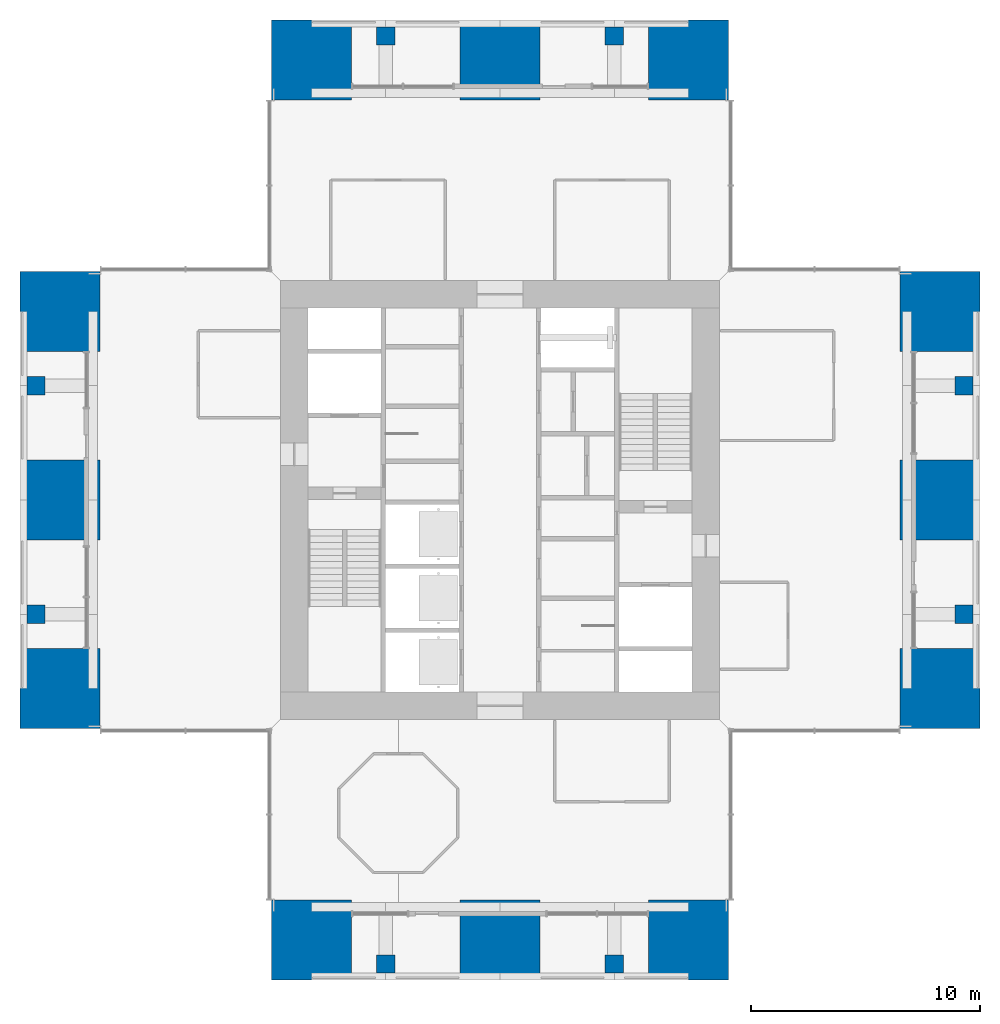
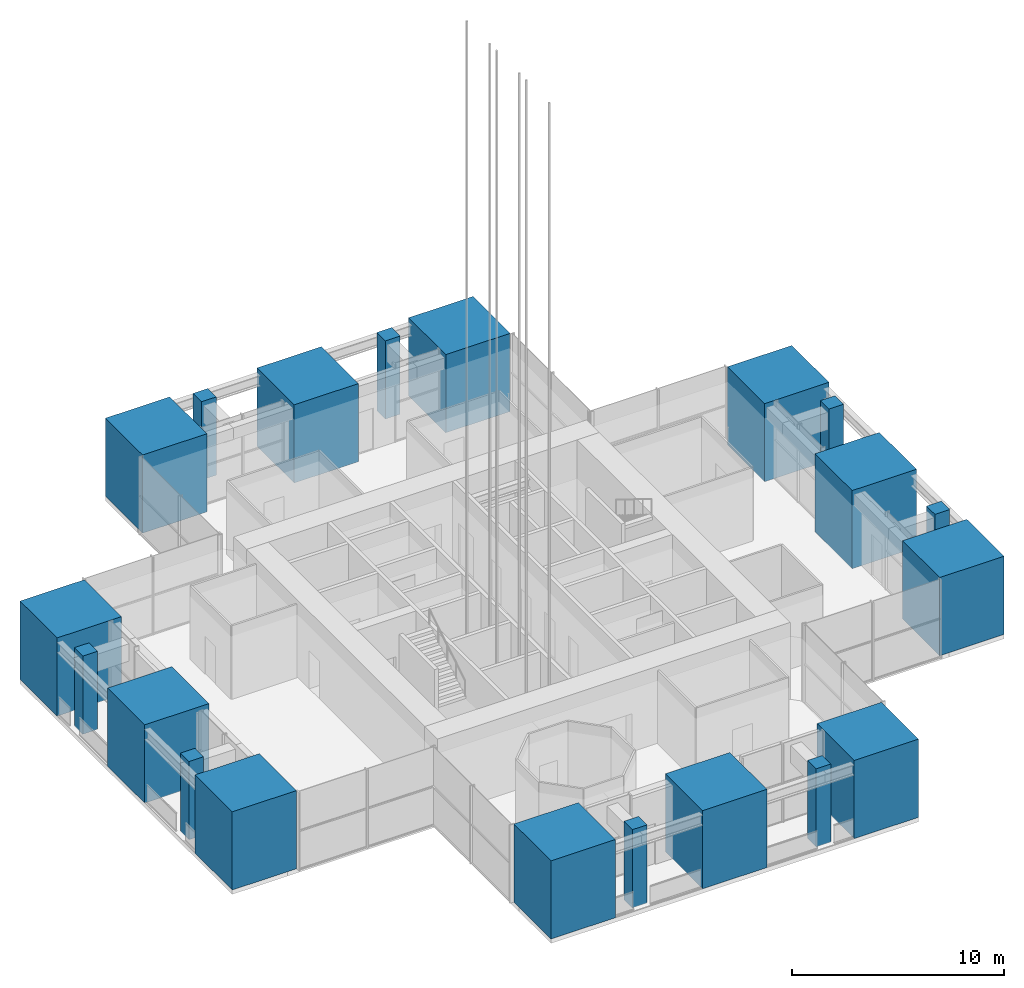
# One storey, part 1 of 17: 20 columns.
"""IFC4 building model written with IfcOpenShell, lengths in metres."""

from ifc_helpers import new_model, si_unit, direction, frame, origin, origin_2d, place, context, subcontext, project, spatial, rectangle, extrude, material, material_profile, profile_set, type_object, element, save


model = new_model("IFC4")

# Units and contexts
model_context = context("Model", 3, precision=1e-05, world=origin(), true_north=direction((0.0, 1.0)))
body_context = subcontext(model_context, "Body", "Model", "MODEL_VIEW")
ifc_project = project(units=[si_unit("LENGTHUNIT", "METRE"), si_unit("AREAUNIT", "SQUARE_METRE"), si_unit("VOLUMEUNIT", "CUBIC_METRE"), si_unit("PLANEANGLEUNIT", "RADIAN"), si_unit("MASSUNIT", "GRAM", prefix="KILO")], contexts=[model_context])

# Site, building, storey
site_placement = place(None, origin())
site = spatial("IfcSite", under=ifc_project, at=site_placement, CompositionType="ELEMENT")
building_placement = place(site_placement, origin())
building = spatial("IfcBuilding", under=site, at=building_placement, Name="Svetlomir Tower", CompositionType="ELEMENT")
storey_placement = place(building_placement, frame((0.0, 0.0, 239.5)))
storey = spatial("IfcBuildingStorey", under=building, at=storey_placement, Name="L57", CompositionType="ELEMENT", Elevation=239.5)

# Columns
ifc_material_1 = material(Name="Concrete C60/75", Category="concrete")
ifc_material_profile_1 = material_profile(ifc_material_1, rectangle(XDim=3.5, YDim=3.5, at=origin_2d()), Name="RC 3500x3500")
ifc_profile_set_1 = profile_set([ifc_material_profile_1], Name="Concrete C60/75")
column_type_1 = type_object("IfcColumnType", Name="COLUMN RC 3500x3500", PredefinedType="COLUMN", material=ifc_profile_set_1)
for number, where, z_axis, x_axis, name in (
    (1, (12.75, 1.75, 0.0), (0.0, 0.0, 1.0), (1.0, 0.0, 0.0), "Column 11/0 L57"),
    (2, (21.0, 1.75, 0.0), (0.0, 0.0, 1.0), (1.0, 0.0, 0.0), "Column 21/0 L57"),
    (3, (29.25, 1.75, 0.0), (0.0, 0.0, 1.0), (1.0, 0.0, 0.0), "Column 31/0 L57"),
    (4, (1.75, 12.75, 0.0), (0.0, 0.0, 1.0), (1.0, 0.0, 0.0), "Column 0/11 L57"),
    (5, (40.25, 12.75, 0.0), (0.0, 0.0, 1.0), (1.0, 0.0, 0.0), "Column 42/11 L57"),
    (6, (1.75, 21.0, 0.0), (0.0, 0.0, 1.0), (1.0, 0.0, 0.0), "Column 0/21 L57"),
    (7, (40.25, 21.0, 0.0), (0.0, 0.0, 1.0), (1.0, 0.0, 0.0), "Column 42/21 L57"),
    (8, (1.75, 29.25, 0.0), (0.0, 0.0, 1.0), (1.0, 0.0, 0.0), "Column 0/31 L57"),
    (9, (40.25, 29.25, 0.0), (0.0, 0.0, 1.0), (1.0, 0.0, 0.0), "Column 42/31 L57"),
    (10, (12.75, 40.25, 0.0), (0.0, 0.0, 1.0), (1.0, 0.0, 0.0), "Column 11/42 L57"),
    (11, (21.0, 40.25, 0.0), (0.0, 0.0, 1.0), (1.0, 0.0, 0.0), "Column 21/42 L57"),
    (12, (29.25, 40.25, 0.0), (0.0, 0.0, 1.0), (1.0, 0.0, 0.0), "Column 31/42 L57"),
):
    element("IfcColumn", number, at=place(storey_placement, frame(where, z_axis=z_axis, x_axis=x_axis)), inside=storey, type_object=column_type_1, Name=name, PredefinedType="COLUMN", context=body_context, shape_type="SweptSolid", body=[
        extrude(rectangle(XDim=3.5, YDim=3.5, at=origin_2d()), origin(), (0.0, 0.0, 1.0), 4.5),
    ])
ifc_material_2 = material(Name="Concrete C60/75", Category="concrete")
ifc_material_profile_2 = material_profile(ifc_material_2, rectangle(XDim=0.800048828125, YDim=0.800048828125, at=origin_2d()), Name="RC 800x800")
ifc_profile_set_2 = profile_set([ifc_material_profile_2], Name="Concrete C60/75")
column_type_2 = type_object("IfcColumnType", Name="COLUMN RC 800x800", PredefinedType="COLUMN", material=ifc_profile_set_2)
for number, where, z_axis, x_axis, name in (
    (13, (16.0, 0.699951171875, 0.0), (0.0, 0.0, 1.0), (1.0, 0.0, 0.0), "Column 16/0 L57"),
    (14, (26.0, 0.699951171875, 0.0), (0.0, 0.0, 1.0), (1.0, 0.0, 0.0), "Column 26/0 L57"),
    (15, (0.699951171875, 16.0, 0.0), (0.0, 0.0, 1.0), (1.0, 0.0, 0.0), "Column 0/16 L57"),
    (16, (41.300048828125, 16.0, 0.0), (0.0, 0.0, 1.0), (1.0, 0.0, 0.0), "Column 42/16 L57"),
    (17, (0.699951171875, 26.0, 0.0), (0.0, 0.0, 1.0), (1.0, 0.0, 0.0), "Column 0/26 L57"),
    (18, (41.300048828125, 26.0, 0.0), (0.0, 0.0, 1.0), (1.0, 0.0, 0.0), "Column 42/26 L57"),
    (19, (16.0, 41.300048828125, 0.0), (0.0, 0.0, 1.0), (1.0, 0.0, 0.0), "Column 16/42 L57"),
    (20, (26.0, 41.300048828125, 0.0), (0.0, 0.0, 1.0), (1.0, 0.0, 0.0), "Column 26/42 L57"),
):
    element("IfcColumn", number, at=place(storey_placement, frame(where, z_axis=z_axis, x_axis=x_axis)), inside=storey, type_object=column_type_2, Name=name, PredefinedType="COLUMN", context=body_context, shape_type="SweptSolid", body=[
        extrude(rectangle(XDim=0.800048828125, YDim=0.800048828125, at=origin_2d()), origin(), (0.0, 0.0, 1.0), 4.5),
    ])

save(model, "model.ifc")
